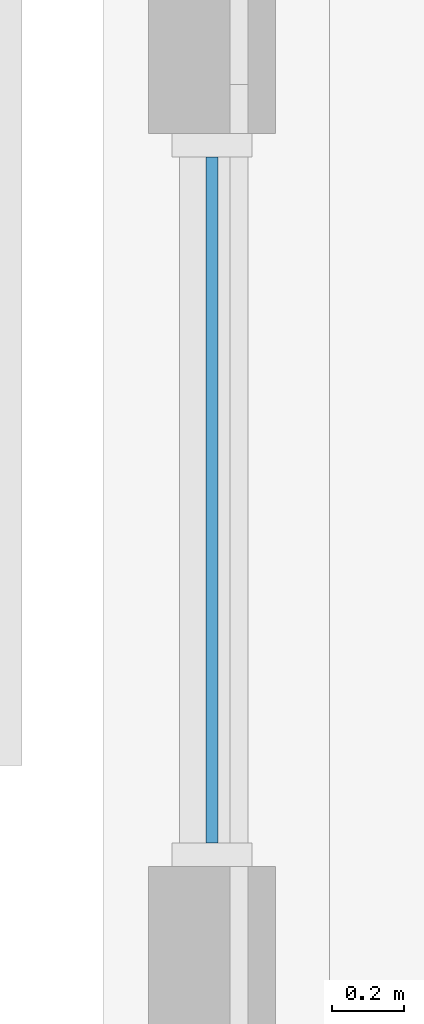
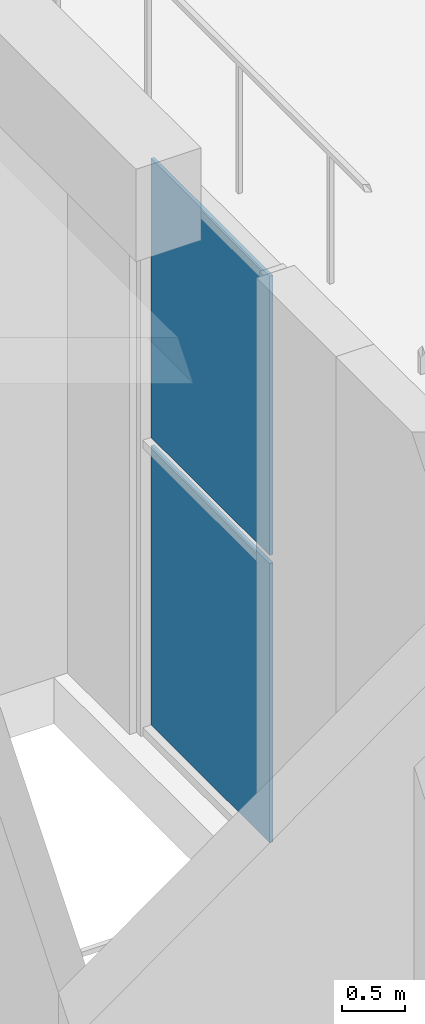
# One storey, part 9 of 32: 2 plates, 1 element without a shape of its own.
"""IFC4 building model written with IfcOpenShell, lengths in metres."""

from ifc_helpers import new_model, si_unit, direction, frame, origin, origin_2d, place, context, subcontext, project, spatial, rectangle, extrude, material, layer, layer_set, type_object, element, aggregate, save


model = new_model("IFC4")

# Units and contexts
model_context = context("Model", 3, precision=1e-05, world=origin(), true_north=direction((0.0, 1.0)))
body_context = subcontext(model_context, "Body", "Model", "MODEL_VIEW")
ifc_project = project(units=[si_unit("LENGTHUNIT", "METRE"), si_unit("AREAUNIT", "SQUARE_METRE"), si_unit("VOLUMEUNIT", "CUBIC_METRE"), si_unit("PLANEANGLEUNIT", "RADIAN"), si_unit("MASSUNIT", "GRAM", prefix="KILO")], contexts=[model_context])

# Site, building, storey
site_placement = place(None, origin())
site = spatial("IfcSite", under=ifc_project, at=site_placement, CompositionType="ELEMENT")
building_placement = place(site_placement, origin())
building = spatial("IfcBuilding", under=site, at=building_placement, Name="Torre Triforio", CompositionType="ELEMENT")
storey_placement = place(building_placement, origin())
storey = spatial("IfcBuildingStorey", under=building, at=storey_placement, Name="L00", CompositionType="ELEMENT", Elevation=0.0)

# Curtain wall, plates
ifc_material_1 = material(Name="Aluminium mullion and transom frame with clear laminated glass", Category="aluminium")
curtain_wall_type = type_object("IfcCurtainWallType", Name="Lobby curtain wall ECW1", PredefinedType="NOTDEFINED", material=ifc_material_1)
curtain_wall_placement = place(storey_placement, origin())
curtain_wall = element("IfcCurtainWall", 1, at=curtain_wall_placement, inside=storey, type_object=curtain_wall_type, Name="Lobby curtain wall L00 09.2.1.1", PredefinedType="NOTDEFINED")
ifc_material_2 = material(Name="Clear laminated glass", Category="glass")
ifc_layer = layer(ifc_material_2, 0.031982421875)
ifc_layer_set = layer_set([ifc_layer], Name="Clear laminated glass")
plate_type = type_object("IfcPlateType", Name="ECW1 glass panel 32", PredefinedType="CURTAIN_PANEL", material=ifc_layer_set)
plate_1_placement = place(storey_placement, frame((77.675048828125, -27.32080078125, 0.080078125), z_axis=(0.0, 0.0, 1.0), x_axis=(0.0, 1.0, 0.0)))
plate_1 = element("IfcPlate", 2, at=plate_1_placement, type_object=plate_type, Name="ECW1 panel 1.1", PredefinedType="CURTAIN_PANEL", context=body_context, shape_type="SweptSolid", body=[
    extrude(rectangle(XDim=1.89501953125, YDim=0.031982421875, at=origin_2d()), origin(), (0.0, 0.0, 1.0), 2.719970703125),
])
plate_2_placement = place(storey_placement, frame((77.675048828125, -27.32080078125, 2.8798828125), z_axis=(0.0, 0.0, 1.0), x_axis=(0.0, 1.0, 0.0)))
plate_2 = element("IfcPlate", 3, at=plate_2_placement, type_object=plate_type, Name="ECW1 panel 1.2", PredefinedType="CURTAIN_PANEL", context=body_context, shape_type="SweptSolid", body=[
    extrude(rectangle(XDim=1.89501953125, YDim=0.031982421875, at=origin_2d()), origin(), (0.0, 0.0, 1.0), 2.719970703125),
])
aggregate(curtain_wall, [plate_1, plate_2])

save(model, "model.ifc")
